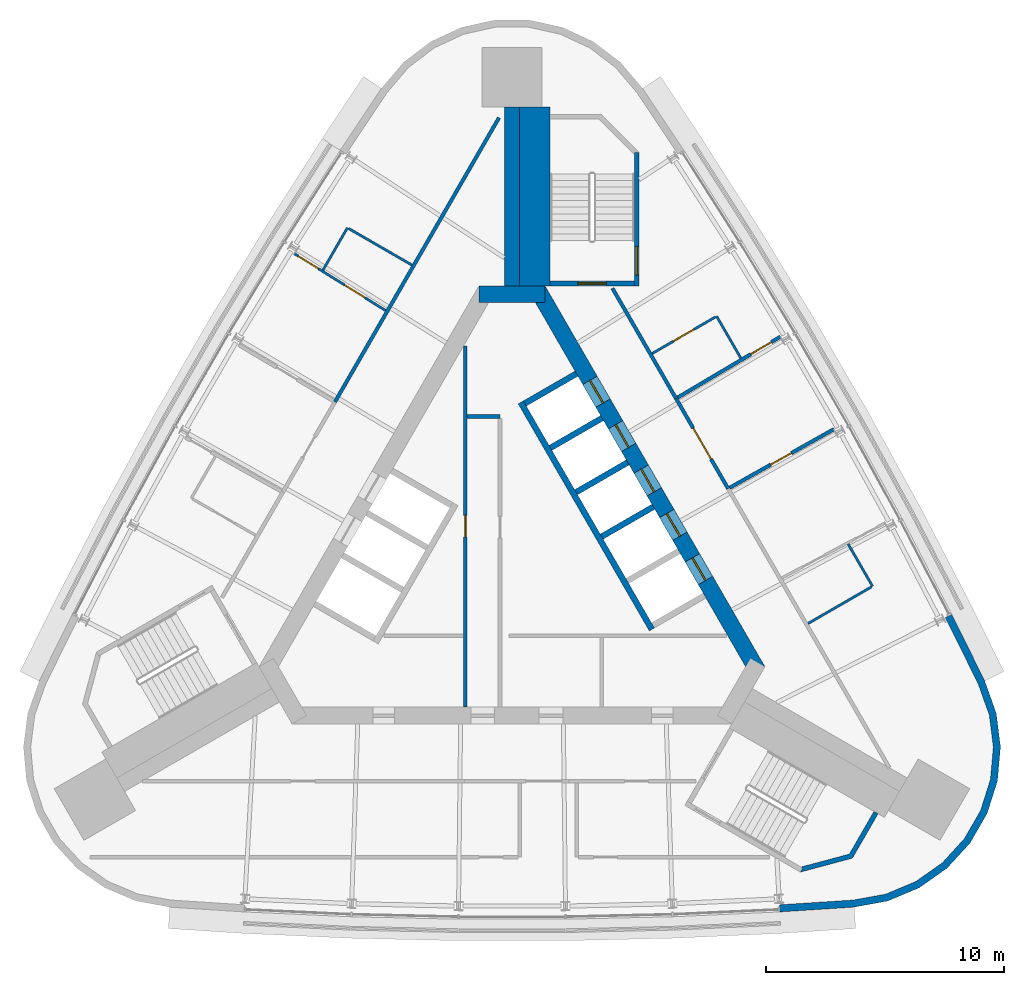
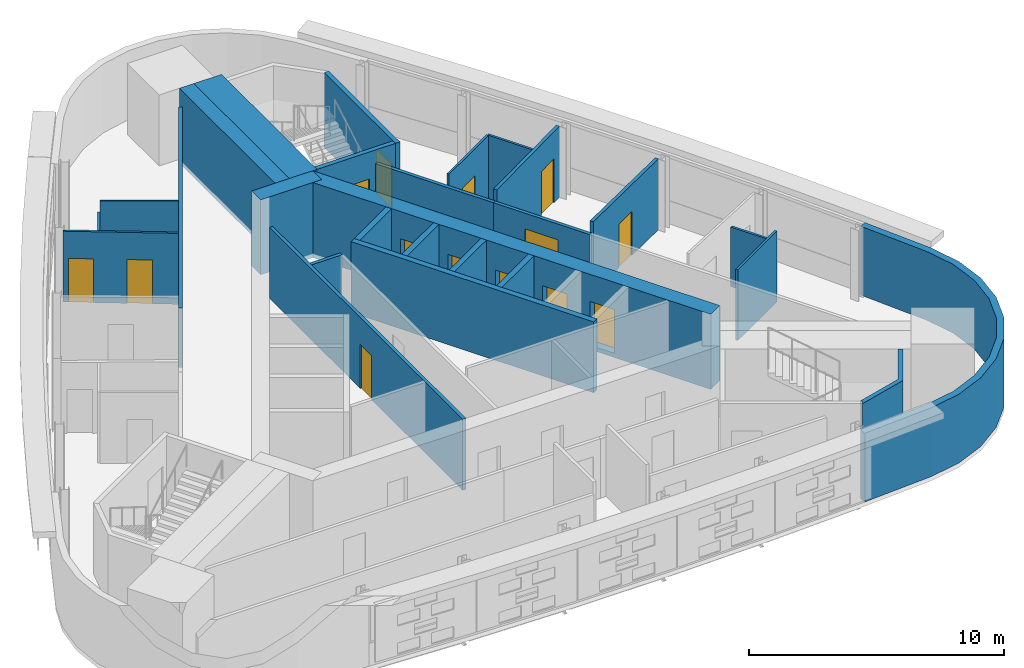
# One storey, part 7 of 9: 27 walls, 14 doors, 14 openings.
"""IFC4 building model written with IfcOpenShell, lengths in metres."""

import ifcopenshell
import ifcopenshell.guid

model = None  # the IFC model being written
_history = None  # IfcOwnerHistory: only IFC2X3 demands one
_inside = {}  # id of a spatial element -> (the spatial element, [elements in it])
_under = {}  # id of a project, library or spatial element -> (it, [spatial elements below it])
_declared = {}  # id of a project -> (the project, [libraries it declares])
_typed = {}  # id of a type object -> (the type object, [elements of that type])
_made_of = {}  # id of a material, layer set ... -> (it, [elements and type objects made of it])


def new_model(schema):
    """Start an empty IFC model of exactly this schema.

    Asked for "IFC4X3", IfcOpenShell would pick the latest addendum, in which some entities
    have other attributes; the version numbers below select the first issue.
    IFC2X3 requires an IfcOwnerHistory on every rooted entity: one is made here for all.
    """
    global model, _history
    if schema == "IFC4X3":
        model = ifcopenshell.file(schema_version=(4, 3, 0, 0))
    else:
        model = ifcopenshell.file(schema=schema)
    _inside.clear()
    _under.clear()
    _declared.clear()
    _typed.clear()
    _made_of.clear()
    _history = None
    if model.schema == "IFC2X3":
        org = make("IfcOrganization", Name="unknown")
        user = make(
            "IfcPersonAndOrganization",
            ThePerson=make("IfcPerson", FamilyName="unknown"),
            TheOrganization=org,
        )
        app = make(
            "IfcApplication",
            ApplicationDeveloper=org,
            Version="unknown",
            ApplicationFullName="unknown",
            ApplicationIdentifier="unknown",
        )
        _history = make(
            "IfcOwnerHistory",
            OwningUser=user,
            OwningApplication=app,
            ChangeAction="ADDED",
            CreationDate=0,
        )
    return model


def make(cls, **values):
    """One entity of the class cls with the attributes given. An attribute that is None is left unset."""
    return model.create_entity(
        cls, **{name: value for name, value in values.items() if value is not None}
    )


def rooted(cls, **values):
    """An entity with a GlobalId (a new one), such as an element, a storey or a relation."""
    return make(cls, GlobalId=ifcopenshell.guid.new(), OwnerHistory=_history, **values)


def si_unit(unit_type, name, prefix=None):
    """IfcSIUnit, for example si_unit("LENGTHUNIT", "METRE", prefix="MILLI")."""
    return make("IfcSIUnit", UnitType=unit_type, Prefix=prefix, Name=name)


def assignment(units):
    """IfcUnitAssignment: the units of a project."""
    return None if units is None else make("IfcUnitAssignment", Units=units)


def point(xyz):
    """IfcCartesianPoint."""
    return None if xyz is None else make("IfcCartesianPoint", Coordinates=xyz)


def direction(xyz):
    """IfcDirection."""
    return None if xyz is None else make("IfcDirection", DirectionRatios=xyz)


def frame(location, z_axis=None, x_axis=None):
    """IfcAxis2Placement3D, a coordinate frame: its origin and axes. An axis left out is left unset."""
    return make(
        "IfcAxis2Placement3D",
        Location=point(location),
        Axis=direction(z_axis),
        RefDirection=direction(x_axis),
    )


def frame_2d(location, x_axis=None):
    """IfcAxis2Placement2D, a coordinate frame in the plane: its origin and x axis."""
    return make(
        "IfcAxis2Placement2D", Location=point(location), RefDirection=direction(x_axis)
    )


def origin():
    """The frame at (0, 0, 0) with its axes left unset."""
    return frame((0.0, 0.0, 0.0))


def place(relative_to, where):
    """IfcLocalPlacement: puts the frame where relative to a parent placement (None: the world)."""
    return make(
        "IfcLocalPlacement", PlacementRelTo=relative_to, RelativePlacement=where
    )


def context(
    kind, dimensions, precision=None, world=None, true_north=None, identifier=None
):
    """IfcGeometricRepresentationContext, for example the 3D "Model" context."""
    return make(
        "IfcGeometricRepresentationContext",
        ContextIdentifier=identifier,
        ContextType=kind,
        CoordinateSpaceDimension=dimensions,
        Precision=precision,
        WorldCoordinateSystem=world,
        TrueNorth=true_north,
    )


def subcontext(parent, identifier, kind, view, scale=None):
    """IfcGeometricRepresentationSubContext, for example "Body" below "Model"."""
    return make(
        "IfcGeometricRepresentationSubContext",
        ContextIdentifier=identifier,
        ContextType=kind,
        ParentContext=parent,
        TargetScale=scale,
        TargetView=view,
    )


def project(units=None, contexts=None):
    """IfcProject with its units and contexts."""
    return rooted(
        "IfcProject",
        Name="project",
        RepresentationContexts=contexts,
        UnitsInContext=assignment(units),
    )


def spatial(cls, under=None, at=None, **own):
    """A site, building, storey or space (cls), placed at a placement, below another one or the project."""
    s = rooted(cls, ObjectPlacement=at, **own)
    if under is not None:
        _under.setdefault(under.id(), (under, []))[1].append(s)
    return s


def polyline(points):
    """IfcPolyline through the points."""
    return make("IfcPolyline", Points=[point(p) for p in points])


def profile(cls, at=None, kind="AREA", **sizes):
    """A parametric profile (cls). Its sizes go by their IFC names, for example OverallWidth=200.0."""
    return make(cls, ProfileType=kind, Position=at, **sizes)


def rectangle(**sizes):
    """IfcRectangleProfileDef."""
    return profile("IfcRectangleProfileDef", **sizes)


def outline(outer, holes=None, kind="AREA"):
    """IfcArbitraryClosedProfileDef: a profile drawn as a closed curve; with holes, ...WithVoids."""
    if holes is None:
        return make("IfcArbitraryClosedProfileDef", ProfileType=kind, OuterCurve=outer)
    return make(
        "IfcArbitraryProfileDefWithVoids",
        ProfileType=kind,
        OuterCurve=outer,
        InnerCurves=holes,
    )


def extrude(swept, where, along, depth):
    """IfcExtrudedAreaSolid: the profile swept, set in the frame where, extruded along a direction by depth."""
    return make(
        "IfcExtrudedAreaSolid",
        SweptArea=swept,
        Position=where,
        ExtrudedDirection=direction(along),
        Depth=depth,
    )


def shape(context_of_items, identifier, shape_type, items):
    """IfcShapeRepresentation: the items that make up one representation, for example the "Body"."""
    return make(
        "IfcShapeRepresentation",
        ContextOfItems=context_of_items,
        RepresentationIdentifier=identifier,
        RepresentationType=shape_type,
        Items=items,
    )


def material(Name=None, Category=None):
    """IfcMaterial."""
    return make("IfcMaterial", Name=Name, Category=Category)


def layer(
    of_material, thickness, ventilated=None, Name=None, Category=None, Priority=None
):
    """IfcMaterialLayer: one layer of a wall or slab, of a material (None: an air gap)."""
    return make(
        "IfcMaterialLayer",
        Material=of_material,
        LayerThickness=thickness,
        IsVentilated=ventilated,
        Name=Name,
        Category=Category,
        Priority=Priority,
    )


def layer_set(layers, Name=None):
    """IfcMaterialLayerSet."""
    return make("IfcMaterialLayerSet", MaterialLayers=layers, LayerSetName=Name)


def made_of(thing, what):
    """Note that an element or type object is made of a material, layer set ...; save() writes the relation."""
    if what is not None:
        _made_of.setdefault(what.id(), (what, []))[1].append(thing)
    return thing


def type_object(cls, material=None, **own):
    """A type object (cls), such as IfcWallType, which elements share."""
    return made_of(rooted(cls, **own), material)


def element(
    cls,
    number,
    at=None,
    inside=None,
    cuts=None,
    type_object=None,
    material=None,
    context=None,
    identifier="Body",
    shape_type=None,
    held_by="IfcProductDefinitionShape",
    body=None,
    shapes=None,
    **own,
):
    """One element of the class cls, such as IfcWall. Its Tag is "e" and its number.

    at: its placement. inside: the storey or other place that contains it. cuts: it is an
    opening in that element (IfcRelVoidsElement). A single representation is given by context,
    identifier, shape_type and body (its items); several are given by shapes. held_by: the class
    of the entity that holds the representations. save() writes the other relations.
    """
    e = rooted(cls, Tag="e%d" % number, ObjectPlacement=at, **own)
    if body is not None:
        shapes = [shape(context, identifier, shape_type, body)]
    if shapes is not None:
        e.Representation = make(held_by, Representations=shapes)
    if inside is not None:
        _inside.setdefault(inside.id(), (inside, []))[1].append(e)
    if cuts is not None:
        rooted(
            "IfcRelVoidsElement", RelatingBuildingElement=cuts, RelatedOpeningElement=e
        )
    if type_object is not None:
        _typed.setdefault(type_object.id(), (type_object, []))[1].append(e)
    return made_of(e, material)


def fill(opening, filler):
    """IfcRelFillsElement: the door or window that sits in an opening."""
    return rooted(
        "IfcRelFillsElement",
        RelatingOpeningElement=opening,
        RelatedBuildingElement=filler,
    )


def aggregate(whole, parts):
    """IfcRelAggregates: a whole, such as a stair, and the parts it consists of."""
    return rooted("IfcRelAggregates", RelatingObject=whole, RelatedObjects=parts)


def save(model, path):
    """Write the relations noted so far, then the file.

    IfcRelAggregates (storeys below a building ...), IfcRelContainedInSpatialStructure (elements
    in a storey), IfcRelDefinesByType, IfcRelAssociatesMaterial and IfcRelDeclares: one each for
    every whole, place, type object, material and project.
    """
    for whole, parts in _under.values():
        aggregate(whole, parts)
    for where, things in _inside.values():
        rooted(
            "IfcRelContainedInSpatialStructure",
            RelatedElements=things,
            RelatingStructure=where,
        )
    for kind, things in _typed.values():
        rooted("IfcRelDefinesByType", RelatedObjects=things, RelatingType=kind)
    for what, things in _made_of.values():
        rooted("IfcRelAssociatesMaterial", RelatedObjects=things, RelatingMaterial=what)
    for by, libraries in _declared.values():
        rooted("IfcRelDeclares", RelatingContext=by, RelatedDefinitions=libraries)
    model.write(path)


model = new_model("IFC4")

# Units and contexts
model_context = context("Model", 3, precision=1e-05, world=origin(), true_north=direction((0.0, 1.0)))
body_context = subcontext(model_context, "Body", "Model", "MODEL_VIEW")
ifc_project = project(units=[si_unit("LENGTHUNIT", "METRE"), si_unit("AREAUNIT", "SQUARE_METRE"), si_unit("VOLUMEUNIT", "CUBIC_METRE"), si_unit("PLANEANGLEUNIT", "RADIAN"), si_unit("MASSUNIT", "GRAM", prefix="KILO")], contexts=[model_context])

# Site, building, storey
site_placement = place(None, origin())
site = spatial("IfcSite", under=ifc_project, at=site_placement, CompositionType="ELEMENT")
building_placement = place(site_placement, origin())
building = spatial("IfcBuilding", under=site, at=building_placement, Name="Noor Cloister Tower", CompositionType="ELEMENT")
storey_placement = place(building_placement, frame((0.0, 0.0, 232.800048828125)))
storey = spatial("IfcBuildingStorey", under=building, at=storey_placement, Name="L60", CompositionType="ELEMENT", Elevation=232.800048828125)

# Wall
ifc_material_1 = material(Name="Concrete C60/75", Category="concrete")
ifc_layer_1 = layer(ifc_material_1, 0.64990234375)
ifc_layer_set_1 = layer_set([ifc_layer_1], Name="Buttress wall 650 C60/75")
wall_type_1 = type_object("IfcWallType", Name="Buttress wall 650 C60/75", PredefinedType="SHEAR", material=ifc_layer_set_1)
wall_1_placement = place(storey_placement, frame((0.0, 11.456298828125, -0.199951171875), z_axis=(0.0, 0.0, 1.0), x_axis=(0.0, 1.0, 0.0)))
element("IfcWall", 1, at=wall_1_placement, inside=storey, type_object=wall_type_1, Name="Buttress wall N L60", PredefinedType="SHEAR", context=body_context, shape_type="SweptSolid", body=[
    extrude(rectangle(XDim=7.506591796875, YDim=0.64990234375, at=frame_2d((3.75341796875, 0.0))), origin(), (0.0, 0.0, 1.0), 3.599853515625),
])

# Wall, opening, door
ifc_material_2 = material(Name="Concrete C30/37", Category="concrete")
ifc_layer_2 = layer(ifc_material_2, 0.14990234375)
ifc_layer_set_2 = layer_set([ifc_layer_2], Name="Core partition 150 C30/37")
wall_type_2 = type_object("IfcWallType", Name="Core partition 150 C30/37", PredefinedType="PARTITIONING", material=ifc_layer_set_2)
wall_2_placement = place(storey_placement, frame((-1.95361328125, 8.9423828125, 0.0), z_axis=(0.0, 0.0, 1.0), x_axis=(0.0, -1.0, 0.0)))
wall_2 = element("IfcWall", 2, at=wall_2_placement, inside=storey, type_object=wall_type_2, Name="Core room partition L60 2", PredefinedType="PARTITIONING", context=body_context, shape_type="SweptSolid", body=[
    extrude(rectangle(XDim=15.170654296875, YDim=0.14990234375, at=frame_2d((7.58544921875, 0.0))), origin(), (0.0, 0.0, 1.0), 3.39990234375),
])
opening_1_placement = place(wall_2_placement, frame((7.12060546875, 0.0, 0.0)))
opening_1 = element("IfcOpeningElement", 3, at=opening_1_placement, cuts=wall_2, Name="Opening L60-905", PredefinedType="OPENING", context=body_context, shape_type="SweptSolid", body=[
    extrude(rectangle(XDim=0.89990234375, YDim=2.10009765625, at=frame_2d((0.449951171875, 1.050048828125))), frame((0.0, 0.0849609375, 0.0), z_axis=(0.0, -1.0, 0.0), x_axis=(1.0, 0.0, 0.0)), (0.0, 0.0, 1.0), 0.169921875),
])
ifc_material_3 = material(Name="Steel", Category="steel")
door_type_1 = type_object("IfcDoorType", Name="Core door 900 x 2100 FD60", OperationType="SINGLE_SWING_LEFT", PredefinedType="DOOR", material=ifc_material_3)
door_1_placement = place(opening_1_placement, origin())
door_1 = element("IfcDoor", 4, at=door_1_placement, inside=storey, type_object=door_type_1, Name="Core door 5 L60", OperationType="SINGLE_SWING_LEFT", OverallHeight=2.10009765625, OverallWidth=0.89990234375, PredefinedType="DOOR", context=body_context, shape_type="SweptSolid", body=[
    extrude(rectangle(XDim=0.89990234375, YDim=2.10009765625, at=frame_2d((0.449951171875, 1.050048828125))), frame((0.0, 0.02490234375, 0.0), z_axis=(0.0, -1.0, 0.0), x_axis=(1.0, 0.0, 0.0)), (0.0, 0.0, 1.0), 0.050048828125),
])
fill(opening_1, door_1)

# Wall
wall_3_placement = place(storey_placement, frame((-1.878662109375, 5.9716796875, 0.0), z_axis=(0.0, 0.0, 1.0), x_axis=(1.0, 0.0, 0.0)))
element("IfcWall", 5, at=wall_3_placement, inside=storey, type_object=wall_type_2, Name="Core room partition L60 3", PredefinedType="PARTITIONING", context=body_context, shape_type="SweptSolid", body=[
    extrude(rectangle(XDim=1.375, YDim=0.14990234375, at=frame_2d((0.6875, 0.0))), origin(), (0.0, 0.0, 1.0), 3.39990234375),
])

# Wall, openings, doors
ifc_material_4 = material(Name="Concrete C60/75", Category="concrete")
ifc_layer_3 = layer(ifc_material_4, 0.699951171875)
ifc_layer_set_3 = layer_set([ifc_layer_3], Name="Core wall 700 C60/75")
wall_type_3 = type_object("IfcWallType", Name="Core wall 700 C60/75", PredefinedType="SHEAR", material=ifc_layer_set_3)
wall_4_placement = place(storey_placement, frame((10.311279296875, -4.703125, -0.199951171875), z_axis=(0.0, 0.0, 1.0), x_axis=(-0.500001446645, 0.866024568562, 0.0)))
wall_4 = element("IfcWall", 6, at=wall_4_placement, inside=storey, type_object=wall_type_3, Name="Core wall L60 3", PredefinedType="SHEAR", context=body_context, shape_type="SweptSolid", body=[
    extrude(rectangle(XDim=18.45751953125, YDim=0.699951171875, at=frame_2d((9.228759765625, 0.0))), origin(), (0.0, 0.0, 1.0), 3.599853515625),
])
opening_2_placement = place(wall_4_placement, frame((4.378662109375, 0.0, 0.199951171875)))
opening_2 = element("IfcOpeningElement", 7, at=opening_2_placement, cuts=wall_4, Name="Opening L60-HR1", PredefinedType="OPENING", context=body_context, shape_type="SweptSolid", body=[
    extrude(rectangle(XDim=1.10009765625, YDim=2.10009765625, at=frame_2d((0.550048828125, 1.050048828125))), frame((0.0, 0.35986328125, 0.0), z_axis=(0.0, -1.0, 0.0), x_axis=(1.0, 0.0, 0.0)), (0.0, 0.0, 1.0), 0.719970703125),
])
opening_3_placement = place(wall_4_placement, frame((6.52880859375, 0.0, 0.199951171875)))
opening_3 = element("IfcOpeningElement", 8, at=opening_3_placement, cuts=wall_4, Name="Opening L60-HR2", PredefinedType="OPENING", context=body_context, shape_type="SweptSolid", body=[
    extrude(rectangle(XDim=1.10009765625, YDim=2.10009765625, at=frame_2d((0.550048828125, 1.050048828125))), frame((0.0, 0.35986328125, 0.0), z_axis=(0.0, -1.0, 0.0), x_axis=(1.0, 0.0, 0.0)), (0.0, 0.0, 1.0), 0.719970703125),
])
opening_4_placement = place(wall_4_placement, frame((8.6787109375, 0.0, 0.199951171875)))
opening_4 = element("IfcOpeningElement", 9, at=opening_4_placement, cuts=wall_4, Name="Opening L60-HR3", PredefinedType="OPENING", context=body_context, shape_type="SweptSolid", body=[
    extrude(rectangle(XDim=1.10009765625, YDim=2.10009765625, at=frame_2d((0.550048828125, 1.050048828125))), frame((0.0, 0.35986328125, 0.0), z_axis=(0.0, -1.0, 0.0), x_axis=(1.0, 0.0, 0.0)), (0.0, 0.0, 1.0), 0.719970703125),
])
opening_5_placement = place(wall_4_placement, frame((10.82861328125, 0.0, 0.199951171875)))
opening_5 = element("IfcOpeningElement", 10, at=opening_5_placement, cuts=wall_4, Name="Opening L60-HR4", PredefinedType="OPENING", context=body_context, shape_type="SweptSolid", body=[
    extrude(rectangle(XDim=1.10009765625, YDim=2.10009765625, at=frame_2d((0.550048828125, 1.050048828125))), frame((0.0, 0.35986328125, 0.0), z_axis=(0.0, -1.0, 0.0), x_axis=(1.0, 0.0, 0.0)), (0.0, 0.0, 1.0), 0.719970703125),
])
opening_6_placement = place(wall_4_placement, frame((12.978759765625, 0.0, 0.199951171875)))
opening_6 = element("IfcOpeningElement", 11, at=opening_6_placement, cuts=wall_4, Name="Opening L60-HR5", PredefinedType="OPENING", context=body_context, shape_type="SweptSolid", body=[
    extrude(rectangle(XDim=1.10009765625, YDim=2.10009765625, at=frame_2d((0.550048828125, 1.050048828125))), frame((0.0, 0.35986328125, 0.0), z_axis=(0.0, -1.0, 0.0), x_axis=(1.0, 0.0, 0.0)), (0.0, 0.0, 1.0), 0.719970703125),
])
ifc_material_5 = material(Name="Stainless steel", Category="steel")
door_type_2 = type_object("IfcDoorType", Name="Lift landing door 1100 x 2100", OperationType="DOUBLE_DOOR_SLIDING", PredefinedType="DOOR", material=ifc_material_5)
door_2_placement = place(opening_2_placement, origin())
door_2 = element("IfcDoor", 12, at=door_2_placement, inside=storey, type_object=door_type_2, Name="Landing door HR1 L60", OperationType="DOUBLE_DOOR_SLIDING", OverallHeight=2.10009765625, OverallWidth=1.10009765625, PredefinedType="DOOR", context=body_context, shape_type="SweptSolid", body=[
    extrude(rectangle(XDim=1.10009765625, YDim=2.10009765625, at=frame_2d((0.550048828125, 1.050048828125))), frame((0.0, 0.02490234375, 0.0), z_axis=(0.0, -1.0, 0.0), x_axis=(1.0, 0.0, 0.0)), (0.0, 0.0, 1.0), 0.050048828125),
])
fill(opening_2, door_2)
door_3_placement = place(opening_3_placement, origin())
door_3 = element("IfcDoor", 13, at=door_3_placement, inside=storey, type_object=door_type_2, Name="Landing door HR2 L60", OperationType="DOUBLE_DOOR_SLIDING", OverallHeight=2.10009765625, OverallWidth=1.10009765625, PredefinedType="DOOR", context=body_context, shape_type="SweptSolid", body=[
    extrude(rectangle(XDim=1.10009765625, YDim=2.10009765625, at=frame_2d((0.550048828125, 1.050048828125))), frame((0.0, 0.02490234375, 0.0), z_axis=(0.0, -1.0, 0.0), x_axis=(1.0, 0.0, 0.0)), (0.0, 0.0, 1.0), 0.050048828125),
])
fill(opening_3, door_3)
door_4_placement = place(opening_4_placement, origin())
door_4 = element("IfcDoor", 14, at=door_4_placement, inside=storey, type_object=door_type_2, Name="Landing door HR3 L60", OperationType="DOUBLE_DOOR_SLIDING", OverallHeight=2.10009765625, OverallWidth=1.10009765625, PredefinedType="DOOR", context=body_context, shape_type="SweptSolid", body=[
    extrude(rectangle(XDim=1.10009765625, YDim=2.10009765625, at=frame_2d((0.550048828125, 1.050048828125))), frame((0.0, 0.02490234375, 0.0), z_axis=(0.0, -1.0, 0.0), x_axis=(1.0, 0.0, 0.0)), (0.0, 0.0, 1.0), 0.050048828125),
])
fill(opening_4, door_4)
door_5_placement = place(opening_5_placement, origin())
door_5 = element("IfcDoor", 15, at=door_5_placement, inside=storey, type_object=door_type_2, Name="Landing door HR4 L60", OperationType="DOUBLE_DOOR_SLIDING", OverallHeight=2.10009765625, OverallWidth=1.10009765625, PredefinedType="DOOR", context=body_context, shape_type="SweptSolid", body=[
    extrude(rectangle(XDim=1.10009765625, YDim=2.10009765625, at=frame_2d((0.550048828125, 1.050048828125))), frame((0.0, 0.02490234375, 0.0), z_axis=(0.0, -1.0, 0.0), x_axis=(1.0, 0.0, 0.0)), (0.0, 0.0, 1.0), 0.050048828125),
])
fill(opening_5, door_5)
door_6_placement = place(opening_6_placement, origin())
door_6 = element("IfcDoor", 16, at=door_6_placement, inside=storey, type_object=door_type_2, Name="Landing door HR5 L60", OperationType="DOUBLE_DOOR_SLIDING", OverallHeight=2.10009765625, OverallWidth=1.10009765625, PredefinedType="DOOR", context=body_context, shape_type="SweptSolid", body=[
    extrude(rectangle(XDim=1.10009765625, YDim=2.10009765625, at=frame_2d((0.550048828125, 1.050048828125))), frame((0.0, 0.02490234375, 0.0), z_axis=(0.0, -1.0, 0.0), x_axis=(1.0, 0.0, 0.0)), (0.0, 0.0, 1.0), 0.050048828125),
])
fill(opening_6, door_6)

# Walls
wall_5_placement = place(storey_placement, frame((1.3857421875, 11.1064453125, -0.199951171875), z_axis=(0.0, 0.0, 1.0), x_axis=(-1.0, 0.0, 0.0)))
element("IfcWall", 17, at=wall_5_placement, inside=storey, type_object=wall_type_3, Name="Core wall L60 4", PredefinedType="SHEAR", context=body_context, shape_type="SweptSolid", body=[
    extrude(rectangle(XDim=2.771484375, YDim=0.699951171875, at=frame_2d((1.3857421875, 0.0))), origin(), (0.0, 0.0, 1.0), 3.599853515625),
])
ifc_material_6 = material(Name="Fire-rated gypsum board partition on steel studs, 150 mm", Category="steel")
ifc_layer_4 = layer(ifc_material_6, 0.14990234375)
ifc_layer_set_4 = layer_set([ifc_layer_4], Name="Fire lobby wall 150")
wall_type_4 = type_object("IfcWallType", Name="Fire lobby wall 150", PredefinedType="PARTITIONING", material=ifc_layer_set_4)
wall_6_placement = place(storey_placement, frame((-0.544677734375, 18.512939453125, 0.0), z_axis=(0.0, 0.0, 1.0), x_axis=(-0.499998165157, -0.866026463129, 0.0)))
element("IfcWall", 18, at=wall_6_placement, inside=storey, type_object=wall_type_4, Name="Wall L60-W18", PredefinedType="PARTITIONING", context=body_context, shape_type="SweptSolid", body=[
    extrude(rectangle(XDim=13.771484375, YDim=0.14990234375, at=frame_2d((6.8857421875, 0.0))), origin(), (0.0, 0.0, 1.0), 2.85205078125),
])
ifc_material_7 = material(Name="Gypsum board partition on steel studs, 150 mm", Category="steel")
ifc_layer_5 = layer(ifc_material_7, 0.14990234375)
ifc_layer_set_5 = layer_set([ifc_layer_5], Name="Flat wall 150")
wall_type_5 = type_object("IfcWallType", Name="Flat wall 150", PredefinedType="PARTITIONING", material=ifc_layer_set_5)
wall_7_placement = place(storey_placement, frame((6.88623046875, 6.72900390625, 0.0), z_axis=(0.0, 0.0, 1.0), x_axis=(-0.4999966759, 0.866027322946, 0.0)))
element("IfcWall", 19, at=wall_7_placement, inside=storey, type_object=wall_type_5, Name="Wall L60-W02", PredefinedType="PARTITIONING", context=body_context, shape_type="SweptSolid", body=[
    extrude(rectangle(XDim=5.34326171875, YDim=0.14990234375, at=frame_2d((2.671630859375, 0.0))), origin(), (0.0, 0.0, 1.0), 2.85205078125),
])

# Wall, opening, door
wall_8_placement = place(storey_placement, frame((13.51416015625, 5.4443359375, 0.0), z_axis=(0.0, 0.0, 1.0), x_axis=(-0.871644326388, -0.490138927525, 0.0)))
wall_8 = element("IfcWall", 20, at=wall_8_placement, inside=storey, type_object=wall_type_5, Name="Wall L60-W03", PredefinedType="PARTITIONING", context=body_context, shape_type="SweptSolid", body=[
    extrude(rectangle(XDim=5.02294921875, YDim=0.14990234375, at=frame_2d((2.511474609375, 0.0))), origin(), (0.0, 0.0, 1.0), 3.39990234375),
])
opening_7_placement = place(wall_8_placement, frame((2.048828125, 0.0, 0.0)))
opening_7 = element("IfcOpeningElement", 21, at=opening_7_placement, cuts=wall_8, Name="Opening L60-004", PredefinedType="OPENING", context=body_context, shape_type="SweptSolid", body=[
    extrude(rectangle(XDim=1.0, YDim=2.10009765625, at=frame_2d((0.5, 1.050048828125))), frame((0.0, 0.0849609375, 0.0), z_axis=(0.0, -1.0, 0.0), x_axis=(1.0, 0.0, 0.0)), (0.0, 0.0, 1.0), 0.169921875),
])
ifc_material_8 = material(Name="Timber door leaf with steel frame", Category="steel")
door_type_3 = type_object("IfcDoorType", Name="Flat entrance door 1000", OperationType="NOTDEFINED", PredefinedType="DOOR", material=ifc_material_8)
door_7_placement = place(opening_7_placement, origin())
door_7 = element("IfcDoor", 22, at=door_7_placement, inside=storey, type_object=door_type_3, Name="Door L60-004", OperationType="SINGLE_SWING_RIGHT", OverallHeight=2.10009765625, OverallWidth=1.0, PredefinedType="DOOR", context=body_context, shape_type="SweptSolid", body=[
    extrude(rectangle(XDim=1.0, YDim=2.10009765625, at=frame_2d((0.5, 1.050048828125))), frame((0.0, 0.02490234375, 0.0), z_axis=(0.0, -1.0, 0.0), x_axis=(1.0, 0.0, 0.0)), (0.0, 0.0, 1.0), 0.050048828125),
])
fill(opening_7, door_7)

wall_9_placement = place(storey_placement, frame((11.26806640625, 9.325439453125, 0.0), z_axis=(0.0, 0.0, 1.0), x_axis=(-0.860287582295, -0.509809058128, 0.0)))
wall_9 = element("IfcWall", 23, at=wall_9_placement, inside=storey, type_object=wall_type_5, Name="Wall L60-W04", PredefinedType="PARTITIONING", context=body_context, shape_type="SweptSolid", body=[
    extrude(rectangle(XDim=5.018310546875, YDim=0.14990234375, at=frame_2d((2.50927734375, 0.0))), origin(), (0.0, 0.0, 1.0), 3.39990234375),
])
opening_8_placement = place(wall_9_placement, frame((0.446533203125, 0.0, 0.0)))
opening_8 = element("IfcOpeningElement", 24, at=opening_8_placement, cuts=wall_9, Name="Opening L60-006", PredefinedType="OPENING", context=body_context, shape_type="SweptSolid", body=[
    extrude(rectangle(XDim=1.0, YDim=2.10009765625, at=frame_2d((0.5, 1.050048828125))), frame((0.0, 0.0849609375, 0.0), z_axis=(0.0, -1.0, 0.0), x_axis=(1.0, 0.0, 0.0)), (0.0, 0.0, 1.0), 0.169921875),
])
door_8_placement = place(opening_8_placement, origin())
door_8 = element("IfcDoor", 25, at=door_8_placement, inside=storey, type_object=door_type_3, Name="Door L60-006", OperationType="SINGLE_SWING_RIGHT", OverallHeight=2.10009765625, OverallWidth=1.0, PredefinedType="DOOR", context=body_context, shape_type="SweptSolid", body=[
    extrude(rectangle(XDim=1.0, YDim=2.10009765625, at=frame_2d((0.5, 1.050048828125))), frame((0.0, 0.02490234375, 0.0), z_axis=(0.0, -1.0, 0.0), x_axis=(1.0, 0.0, 0.0)), (0.0, 0.0, 1.0), 0.050048828125),
])
fill(opening_8, door_8)

wall_10_placement = place(storey_placement, frame((9.070556640625, 2.945556640625, 0.0), z_axis=(0.0, 0.0, 1.0), x_axis=(-0.499991738058, 0.866030173766, 0.0)))
wall_10 = element("IfcWall", 26, at=wall_10_placement, inside=storey, type_object=wall_type_5, Name="Wall L60-W05", PredefinedType="PARTITIONING", context=body_context, shape_type="SweptSolid", body=[
    extrude(rectangle(XDim=4.36865234375, YDim=0.14990234375, at=frame_2d((2.184326171875, 0.0))), origin(), (0.0, 0.0, 1.0), 2.85205078125),
])
opening_9_placement = place(wall_10_placement, frame((1.434326171875, 0.0, 0.0)))
opening_9 = element("IfcOpeningElement", 27, at=opening_9_placement, cuts=wall_10, Name="Opening L60-001", PredefinedType="OPENING", context=body_context, shape_type="SweptSolid", body=[
    extrude(rectangle(XDim=1.5, YDim=2.10009765625, at=frame_2d((0.75, 1.050048828125))), frame((0.0, 0.0849609375, 0.0), z_axis=(0.0, -1.0, 0.0), x_axis=(1.0, 0.0, 0.0)), (0.0, 0.0, 1.0), 0.169921875),
])
ifc_material_9 = material(Name="Timber door leaf with steel frame", Category="steel")
door_type_4 = type_object("IfcDoorType", Name="Double door 1500 FD60", OperationType="NOTDEFINED", PredefinedType="DOOR", material=ifc_material_9)
door_9_placement = place(opening_9_placement, origin())
door_9 = element("IfcDoor", 28, at=door_9_placement, inside=storey, type_object=door_type_4, Name="Door L60-001", OperationType="DOUBLE_DOOR_SINGLE_SWING", OverallHeight=2.10009765625, OverallWidth=1.5, PredefinedType="DOOR", context=body_context, shape_type="SweptSolid", body=[
    extrude(rectangle(XDim=1.5, YDim=2.10009765625, at=frame_2d((0.75, 1.050048828125))), frame((0.0, 0.02490234375, 0.0), z_axis=(0.0, -1.0, 0.0), x_axis=(1.0, 0.0, 0.0)), (0.0, 0.0, 1.0), 0.050048828125),
])
fill(opening_9, door_9)

# Walls
ifc_material_10 = material(Name="Limestone", Category="masonry")
ifc_layer_6 = layer(ifc_material_10, 0.300048828125)
ifc_layer_set_6 = layer_set([ifc_layer_6], Name="Limestone cladding 300")
wall_type_6 = type_object("IfcWallType", Name="Limestone cladding 300", PredefinedType="NOTDEFINED", material=ifc_layer_set_6)
wall_11_placement = place(storey_placement, origin())
element("IfcWall", 29, at=wall_11_placement, inside=storey, type_object=wall_type_6, Name="Limestone pier cladding L60 2.1", PredefinedType="NOTDEFINED", context=body_context, shape_type="SweptSolid", body=[
    extrude(outline(polyline([(11.243896484375, -14.820068359375), (14.3642578125, -14.61865234375), (15.77197265625, -14.361328125), (17.091552734375, -13.8076171875), (18.26123046875, -12.983154296875), (19.2265625, -11.9267578125), (19.942138671875, -10.687255859375), (20.37451171875, -9.3232421875), (20.503662109375, -7.89794921875), (20.3232421875, -6.478271484375), (19.842041015625, -5.13037109375), (18.45654296875, -2.32763671875), (18.1875, -2.46044921875), (19.5654296875, -5.247802734375), (20.02978515625, -6.54833984375), (20.201904296875, -7.9033203125), (20.07861328125, -9.263671875), (19.666015625, -10.565673828125), (18.98291015625, -11.748291015625), (18.061767578125, -12.7568359375), (16.9453125, -13.543701171875), (15.68603515625, -14.072021484375), (14.327392578125, -14.3203125), (11.224609375, -14.520751953125), (11.243896484375, -14.820068359375)])), origin(), (0.0, 0.0, 1.0), 3.300048828125),
])
ifc_material_11 = material(Name="Gypsum board partition on steel studs, 100 mm", Category="steel")
ifc_layer_7 = layer(ifc_material_11, 0.10009765625)
ifc_layer_set_7 = layer_set([ifc_layer_7], Name="Partition 100")
wall_type_7 = type_object("IfcWallType", Name="Partition 100", PredefinedType="PARTITIONING", material=ifc_layer_set_7)
wall_12_placement = place(storey_placement, frame((14.106689453125, 0.623046875, 0.0), z_axis=(0.0, 0.0, 1.0), x_axis=(0.499956128963, -0.866050731258, 0.0)))
element("IfcWall", 30, at=wall_12_placement, inside=storey, type_object=wall_type_7, Name="Wall L60-W07", PredefinedType="PARTITIONING", context=body_context, shape_type="SweptSolid", body=[
    extrude(rectangle(XDim=2.050048828125, YDim=0.10009765625, at=frame_2d((1.02490234375, 0.0))), origin(), (0.0, 0.0, 1.0), 2.85205078125),
])
wall_13_placement = place(storey_placement, frame((15.08837890625, -1.17724609375, 0.0), z_axis=(0.0, 0.0, 1.0), x_axis=(-0.866016353143, -0.500015675843, 0.0)))
element("IfcWall", 31, at=wall_13_placement, inside=storey, type_object=wall_type_7, Name="Wall L60-W08", PredefinedType="PARTITIONING", context=body_context, shape_type="SweptSolid", body=[
    extrude(rectangle(XDim=3.0751953125, YDim=0.10009765625, at=frame_2d((1.53759765625, 0.0))), origin(), (0.0, 0.0, 1.0), 3.39990234375),
])
wall_14_placement = place(storey_placement, frame((9.60205078125, 8.42529296875, 0.0), z_axis=(0.0, 0.0, 1.0), x_axis=(-0.500080744026, 0.86597878118, 0.0)))
element("IfcWall", 32, at=wall_14_placement, inside=storey, type_object=wall_type_7, Name="Wall L60-W09", PredefinedType="PARTITIONING", context=body_context, shape_type="SweptSolid", body=[
    extrude(rectangle(XDim=2.025146484375, YDim=0.10009765625, at=frame_2d((1.0126953125, 0.0))), origin(), (0.0, 0.0, 1.0), 3.39990234375),
])

# Wall, opening, door
wall_15_placement = place(storey_placement, frame((8.546142578125, 10.154052734375, 0.0), z_axis=(0.0, 0.0, 1.0), x_axis=(-0.866016353143, -0.500015675843, 0.0)))
wall_15 = element("IfcWall", 33, at=wall_15_placement, inside=storey, type_object=wall_type_7, Name="Wall L60-W10", PredefinedType="PARTITIONING", context=body_context, shape_type="SweptSolid", body=[
    extrude(rectangle(XDim=3.0751953125, YDim=0.10009765625, at=frame_2d((1.53759765625, 0.0))), origin(), (0.0, 0.0, 1.0), 3.39990234375),
])
opening_10_placement = place(wall_15_placement, frame((1.050048828125, 0.0, 0.0)))
opening_10 = element("IfcOpeningElement", 34, at=opening_10_placement, cuts=wall_15, Name="Opening L60-005", PredefinedType="OPENING", context=body_context, shape_type="SweptSolid", body=[
    extrude(rectangle(XDim=1.0, YDim=2.10009765625, at=frame_2d((0.5, 1.050048828125))), frame((0.0, 0.06005859375, 0.0), z_axis=(0.0, -1.0, 0.0), x_axis=(1.0, 0.0, 0.0)), (0.0, 0.0, 1.0), 0.1201171875),
])
ifc_material_12 = material(Name="Timber door leaf with steel frame", Category="steel")
door_type_5 = type_object("IfcDoorType", Name="Interior door 1000", OperationType="NOTDEFINED", PredefinedType="DOOR", material=ifc_material_12)
door_10_placement = place(opening_10_placement, origin())
door_10 = element("IfcDoor", 35, at=door_10_placement, inside=storey, type_object=door_type_5, Name="Door L60-005", OperationType="SINGLE_SWING_LEFT", OverallHeight=2.10009765625, OverallWidth=1.0, PredefinedType="DOOR", context=body_context, shape_type="SweptSolid", body=[
    extrude(rectangle(XDim=1.0, YDim=2.10009765625, at=frame_2d((0.5, 1.050048828125))), frame((0.0, 0.02490234375, 0.0), z_axis=(0.0, -1.0, 0.0), x_axis=(1.0, 0.0, 0.0)), (0.0, 0.0, 1.0), 0.050048828125),
])
fill(opening_10, door_10)

# Wall, openings, doors
wall_16_placement = place(storey_placement, frame((-9.146484375, 12.815185546875, 0.0), z_axis=(0.0, 0.0, 1.0), x_axis=(0.848537029676, -0.52913600262, 0.0)))
wall_16 = element("IfcWall", 36, at=wall_16_placement, inside=storey, type_object=wall_type_7, Name="Wall L60-W23", PredefinedType="PARTITIONING", context=body_context, shape_type="SweptSolid", body=[
    extrude(rectangle(XDim=4.528076171875, YDim=0.10009765625, at=frame_2d((2.26416015625, 0.0))), origin(), (0.0, 0.0, 1.0), 3.39990234375),
])
opening_11_placement = place(wall_16_placement, frame((0.20068359375, 0.0, 0.0)))
opening_11 = element("IfcOpeningElement", 37, at=opening_11_placement, cuts=wall_16, Name="Opening L60-013", PredefinedType="OPENING", context=body_context, shape_type="SweptSolid", body=[
    extrude(rectangle(XDim=1.0, YDim=2.10009765625, at=frame_2d((0.5, 1.050048828125))), frame((0.0, 0.06005859375, 0.0), z_axis=(0.0, -1.0, 0.0), x_axis=(1.0, 0.0, 0.0)), (0.0, 0.0, 1.0), 0.1201171875),
])
opening_12_placement = place(wall_16_placement, frame((2.502197265625, 0.0, 0.0)))
opening_12 = element("IfcOpeningElement", 38, at=opening_12_placement, cuts=wall_16, Name="Opening L60-014", PredefinedType="OPENING", context=body_context, shape_type="SweptSolid", body=[
    extrude(rectangle(XDim=1.0, YDim=2.10009765625, at=frame_2d((0.5, 1.050048828125))), frame((0.0, 0.06005859375, 0.0), z_axis=(0.0, -1.0, 0.0), x_axis=(1.0, 0.0, 0.0)), (0.0, 0.0, 1.0), 0.1201171875),
])
door_11_placement = place(opening_11_placement, origin())
door_11 = element("IfcDoor", 39, at=door_11_placement, inside=storey, type_object=door_type_5, Name="Door L60-013", OperationType="SINGLE_SWING_LEFT", OverallHeight=2.10009765625, OverallWidth=1.0, PredefinedType="DOOR", context=body_context, shape_type="SweptSolid", body=[
    extrude(rectangle(XDim=1.0, YDim=2.10009765625, at=frame_2d((0.5, 1.050048828125))), frame((0.0, 0.02490234375, 0.0), z_axis=(0.0, -1.0, 0.0), x_axis=(1.0, 0.0, 0.0)), (0.0, 0.0, 1.0), 0.050048828125),
])
fill(opening_11, door_11)
door_12_placement = place(opening_12_placement, origin())
door_12 = element("IfcDoor", 40, at=door_12_placement, inside=storey, type_object=door_type_5, Name="Door L60-014", OperationType="SINGLE_SWING_RIGHT", OverallHeight=2.10009765625, OverallWidth=1.0, PredefinedType="DOOR", context=body_context, shape_type="SweptSolid", body=[
    extrude(rectangle(XDim=1.0, YDim=2.10009765625, at=frame_2d((0.5, 1.050048828125))), frame((0.0, 0.02490234375, 0.0), z_axis=(0.0, -1.0, 0.0), x_axis=(1.0, 0.0, 0.0)), (0.0, 0.0, 1.0), 0.050048828125),
])
fill(opening_12, door_12)

# Walls
wall_17_placement = place(storey_placement, frame((-7.932373046875, 12.116943359375, 0.0), z_axis=(0.0, 0.0, 1.0), x_axis=(0.499956128963, 0.866050731258, 0.0)))
element("IfcWall", 41, at=wall_17_placement, inside=storey, type_object=wall_type_7, Name="Wall L60-W24", PredefinedType="PARTITIONING", context=body_context, shape_type="SweptSolid", body=[
    extrude(rectangle(XDim=2.050048828125, YDim=0.10009765625, at=frame_2d((1.02490234375, 0.0))), origin(), (0.0, 0.0, 1.0), 2.85205078125),
])
wall_18_placement = place(storey_placement, frame((-6.8642578125, 13.867431640625, 0.0), z_axis=(0.0, 0.0, 1.0), x_axis=(0.866016353143, -0.500015675843, 0.0)))
element("IfcWall", 42, at=wall_18_placement, inside=storey, type_object=wall_type_7, Name="Wall L60-W25", PredefinedType="PARTITIONING", context=body_context, shape_type="SweptSolid", body=[
    extrude(rectangle(XDim=3.0751953125, YDim=0.10009765625, at=frame_2d((1.53759765625, 0.0))), origin(), (0.0, 0.0, 1.0), 3.39990234375),
])
ifc_material_13 = material(Name="Concrete C60/75", Category="concrete")
ifc_layer_8 = layer(ifc_material_13, 0.25)
ifc_layer_set_8 = layer_set([ifc_layer_8], Name="Shaft wall 250 C60/75")
wall_type_8 = type_object("IfcWallType", Name="Shaft wall 250 C60/75", PredefinedType="PARTITIONING", material=ifc_layer_set_8)
wall_19_placement = place(storey_placement, frame((5.931396484375, 2.18310546875, -0.199951171875), z_axis=(0.0, 0.0, 1.0), x_axis=(-0.866047370643, -0.499961950354, 0.0)))
element("IfcWall", 43, at=wall_19_placement, inside=storey, type_object=wall_type_8, Name="Lift shaft wall L60 NE 3", PredefinedType="PARTITIONING", context=body_context, shape_type="SweptSolid", body=[
    extrude(rectangle(XDim=2.500244140625, YDim=0.25, at=frame_2d((1.25, 0.0))), origin(), (0.0, 0.0, 1.0), 3.599853515625),
])
for number, where, z_axis, x_axis, name in (
    (44, (4.856201171875, 4.045166015625, -0.199951171875), (0.0, 0.0, 1.0), (-0.866022959057, -0.500004234368, 0.0), "Lift shaft wall L60 NE 4"),
    (45, (3.78125, 5.906982421875, -0.199951171875), (0.0, 0.0, 1.0), (-0.866022959057, -0.500004234368, 0.0), "Lift shaft wall L60 NE 5"),
    (46, (2.706298828125, 7.76904296875, -0.199951171875), (0.0, 0.0, 1.0), (-0.866022959057, -0.500004234368, 0.0), "Lift shaft wall L60 NE 6"),
):
    element("IfcWall", number, at=place(storey_placement, frame(where, z_axis=z_axis, x_axis=x_axis)), inside=storey, type_object=wall_type_8, Name=name, PredefinedType="PARTITIONING", context=body_context, shape_type="SweptSolid", body=[
        extrude(rectangle(XDim=2.5, YDim=0.25, at=frame_2d((1.25, 0.0))), origin(), (0.0, 0.0, 1.0), 3.599853515625),
    ])
wall_20_placement = place(storey_placement, frame((5.870361328125, -2.96142578125, 0.0), z_axis=(0.0, 0.0, 1.0), x_axis=(-0.50000615651, 0.866021849293, 0.0)))
element("IfcWall", 47, at=wall_20_placement, inside=storey, type_object=wall_type_8, Name="Lift shaft back wall L60 NE", PredefinedType="PARTITIONING", context=body_context, shape_type="SweptSolid", body=[
    extrude(rectangle(XDim=10.999755859375, YDim=0.25, at=frame_2d((5.5, 0.0))), origin(), (0.0, 0.0, 1.0), 3.39990234375),
])
ifc_material_14 = material(Name="Concrete C60/75", Category="concrete")
ifc_layer_9 = layer(ifc_material_14, 1.260986328125)
ifc_layer_set_9 = layer_set([ifc_layer_9], Name="Stair enclosure wall 1261 C60/75")
wall_type_9 = type_object("IfcWallType", Name="Stair enclosure wall 1261 C60/75", PredefinedType="SHEAR", material=ifc_layer_set_9)
wall_21_placement = place(storey_placement, frame((0.955322265625, 11.456298828125, -0.199951171875), z_axis=(0.0, 0.0, 1.0), x_axis=(0.0, 1.0, 0.0)))
element("IfcWall", 48, at=wall_21_placement, inside=storey, type_object=wall_type_9, Name="Stair enclosure wall ST1 L60 riser side", PredefinedType="SHEAR", context=body_context, shape_type="SweptSolid", body=[
    extrude(rectangle(XDim=7.506591796875, YDim=1.2607421875, at=frame_2d((3.75341796875, 0.0))), origin(), (0.0, 0.0, 1.0), 3.599853515625),
])

# Wall, opening, door
ifc_material_15 = material(Name="Concrete C60/75", Category="concrete")
ifc_layer_10 = layer(ifc_material_15, 0.199951171875)
ifc_layer_set_10 = layer_set([ifc_layer_10], Name="Stair enclosure wall 200 C60/75")
wall_type_10 = type_object("IfcWallType", Name="Stair enclosure wall 200 C60/75", PredefinedType="SHEAR", material=ifc_layer_set_10)
wall_22_placement = place(storey_placement, frame((5.135498046875, 11.556396484375, -0.199951171875), z_axis=(0.0, 0.0, 1.0), x_axis=(-1.0, 0.0, 0.0)))
wall_22 = element("IfcWall", 49, at=wall_22_placement, inside=storey, type_object=wall_type_10, Name="Stair enclosure wall ST1 L60 near end", PredefinedType="SHEAR", context=body_context, shape_type="SweptSolid", body=[
    extrude(rectangle(XDim=3.5498046875, YDim=0.199951171875, at=frame_2d((1.77490234375, 0.0))), origin(), (0.0, 0.0, 1.0), 3.599853515625),
])
opening_13_placement = place(wall_22_placement, frame((1.175048828125, 0.0, 0.199951171875)))
opening_13 = element("IfcOpeningElement", 50, at=opening_13_placement, cuts=wall_22, Name="Opening L60-ST1L", PredefinedType="OPENING", context=body_context, shape_type="SweptSolid", body=[
    extrude(rectangle(XDim=1.199951171875, YDim=2.10009765625, at=frame_2d((0.60009765625, 1.050048828125))), frame((0.0, 0.10986328125, 0.0), z_axis=(0.0, -1.0, 0.0), x_axis=(1.0, 0.0, 0.0)), (0.0, 0.0, 1.0), 0.219970703125),
])
ifc_material_16 = material(Name="Steel", Category="steel")
door_type_6 = type_object("IfcDoorType", Name="Stair door 1200 x 2100 FD120", OperationType="SINGLE_SWING_LEFT", PredefinedType="DOOR", material=ifc_material_16)
door_13_placement = place(opening_13_placement, origin())
door_13 = element("IfcDoor", 51, at=door_13_placement, inside=storey, type_object=door_type_6, Name="Stair door ST1 L60", OperationType="SINGLE_SWING_RIGHT", OverallHeight=2.10009765625, OverallWidth=1.199951171875, PredefinedType="DOOR", context=body_context, shape_type="SweptSolid", body=[
    extrude(rectangle(XDim=1.199951171875, YDim=2.10009765625, at=frame_2d((0.60009765625, 1.050048828125))), frame((0.0, 0.02490234375, 0.0), z_axis=(0.0, -1.0, 0.0), x_axis=(1.0, 0.0, 0.0)), (0.0, 0.0, 1.0), 0.050048828125),
])
fill(opening_13, door_13)

wall_23_placement = place(storey_placement, frame((5.235595703125, 11.456298828125, -0.199951171875), z_axis=(0.0, 0.0, 1.0), x_axis=(0.0, 1.0, 0.0)))
wall_23 = element("IfcWall", 52, at=wall_23_placement, inside=storey, type_object=wall_type_10, Name="Stair enclosure wall ST1 L60 outer side", PredefinedType="SHEAR", context=body_context, shape_type="SweptSolid", body=[
    extrude(rectangle(XDim=5.60009765625, YDim=0.199951171875, at=frame_2d((2.800048828125, 0.0))), origin(), (0.0, 0.0, 1.0), 3.599853515625),
])
opening_14_placement = place(wall_23_placement, frame((0.449951171875, 0.0, 0.199951171875)))
opening_14 = element("IfcOpeningElement", 53, at=opening_14_placement, cuts=wall_23, Name="Opening L60-ST1C", PredefinedType="OPENING", context=body_context, shape_type="SweptSolid", body=[
    extrude(rectangle(XDim=1.199951171875, YDim=2.10009765625, at=frame_2d((0.60009765625, 1.050048828125))), frame((0.0, 0.10986328125, 0.0), z_axis=(0.0, -1.0, 0.0), x_axis=(1.0, 0.0, 0.0)), (0.0, 0.0, 1.0), 0.219970703125),
])
door_14_placement = place(opening_14_placement, origin())
door_14 = element("IfcDoor", 54, at=door_14_placement, inside=storey, type_object=door_type_6, Name="Stair door ST1 L60", OperationType="SINGLE_SWING_LEFT", OverallHeight=2.10009765625, OverallWidth=1.199951171875, PredefinedType="DOOR", context=body_context, shape_type="SweptSolid", body=[
    extrude(rectangle(XDim=1.199951171875, YDim=2.10009765625, at=frame_2d((0.60009765625, 1.050048828125))), frame((0.0, 0.02490234375, 0.0), z_axis=(0.0, -1.0, 0.0), x_axis=(1.0, 0.0, 0.0)), (0.0, 0.0, 1.0), 0.050048828125),
])
fill(opening_14, door_14)

# Wall
ifc_material_17 = material(Name="Concrete C60/75", Category="concrete")
wall_type_11 = type_object("IfcWallType", Name="Stair far end wall C60/75", PredefinedType="SHEAR", material=ifc_material_17)
wall_24_placement = place(storey_placement, frame((0.0, 0.0, -0.199951171875)))
element("IfcWall", 55, at=wall_24_placement, inside=storey, type_object=wall_type_11, Name="Stair enclosure wall ST3 L60 far end", PredefinedType="SHEAR", context=body_context, shape_type="SweptSolid", body=[
    extrude(outline(polyline([(12.103515625, -13.14892578125), (14.2890625, -12.5634765625), (15.364013671875, -10.701416015625), (15.19091796875, -10.601318359375), (14.1572265625, -12.3916015625), (12.131591796875, -12.934326171875), (12.20361328125, -12.975830078125), (12.20361328125, -12.975830078125), (12.20361328125, -12.975830078125), (12.20361328125, -12.975830078125), (12.20361328125, -12.975830078125), (12.20361328125, -12.975830078125), (12.20361328125, -12.975830078125), (12.20361328125, -12.975830078125), (12.20361328125, -12.975830078125), (12.20361328125, -12.975830078125), (12.20361328125, -12.975830078125), (12.20361328125, -12.975830078125), (12.20361328125, -12.975830078125), (12.20361328125, -12.975830078125), (12.20361328125, -12.975830078125), (12.20361328125, -12.975830078125), (12.20361328125, -12.975830078125), (12.103515625, -13.14892578125)])), origin(), (0.0, 0.0, 1.0), 3.599853515625),
])

save(model, "model.ifc")
